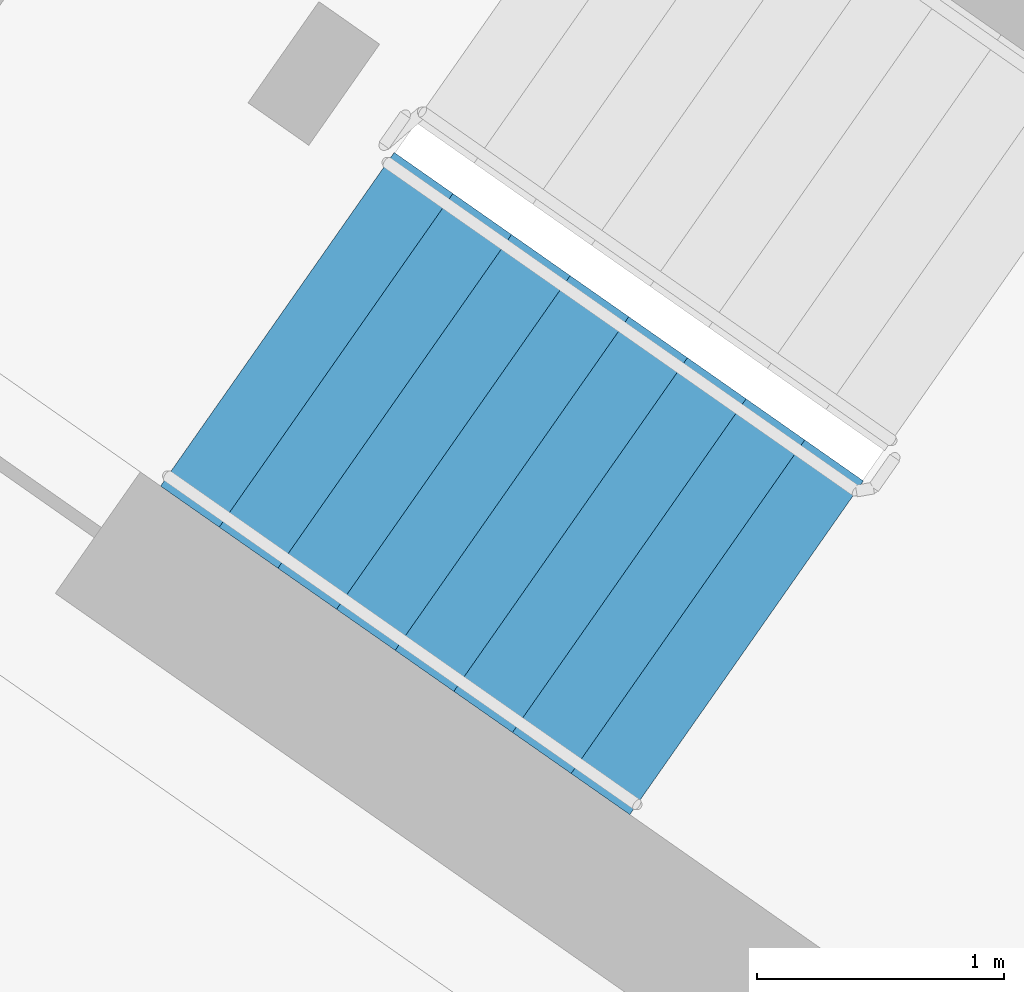
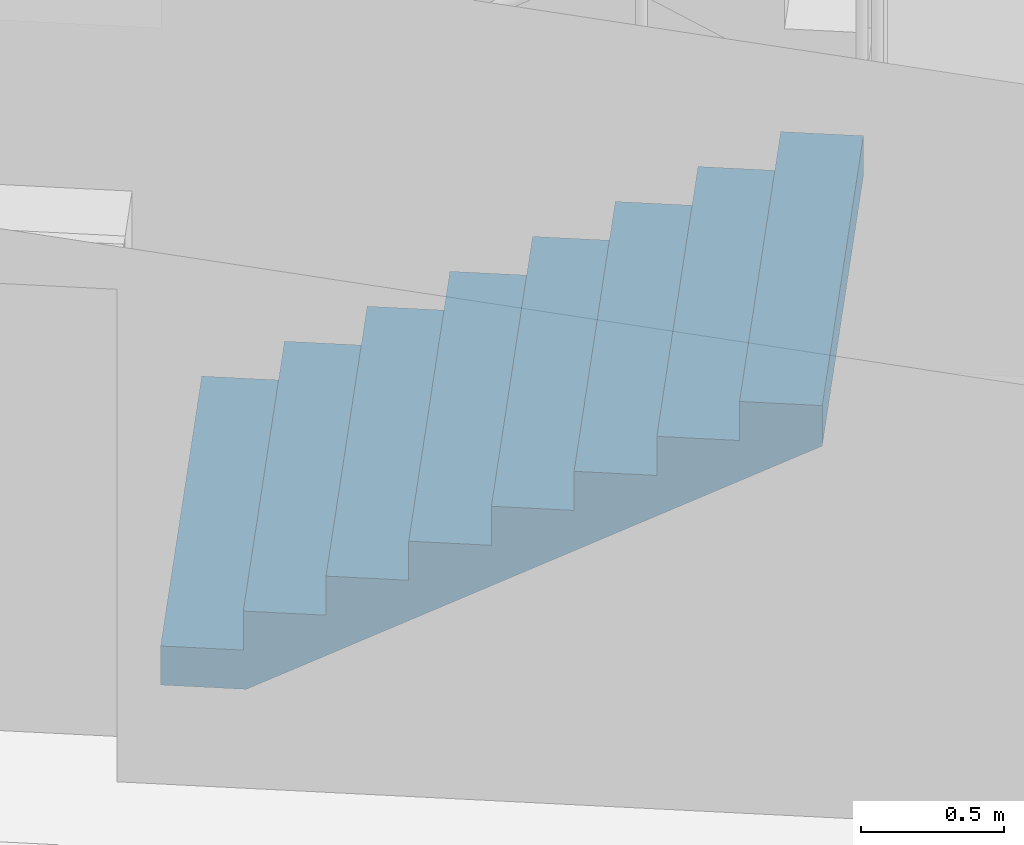
# One storey, part 6 of 41: 1 stair flight, 1 element without a shape of its own.
"""IFC4 building model written with IfcOpenShell, lengths in metres."""

from ifc_helpers import new_model, si_unit, direction, frame, origin, place, context, subcontext, project, spatial, faceted_brep, material, type_object, element, aggregate, save


model = new_model("IFC4")

# Units and contexts
model_context = context("Model", 3, precision=1e-05, world=origin(), true_north=direction((0.0, 1.0)))
body_context = subcontext(model_context, "Body", "Model", "MODEL_VIEW")
ifc_project = project(units=[si_unit("LENGTHUNIT", "METRE"), si_unit("AREAUNIT", "SQUARE_METRE"), si_unit("VOLUMEUNIT", "CUBIC_METRE"), si_unit("PLANEANGLEUNIT", "RADIAN"), si_unit("MASSUNIT", "GRAM", prefix="KILO")], contexts=[model_context])

# Site, building, storey
site_placement = place(None, origin())
site = spatial("IfcSite", under=ifc_project, at=site_placement, CompositionType="ELEMENT")
building_placement = place(site_placement, origin())
building = spatial("IfcBuilding", under=site, at=building_placement, Name="Qamariyya Broadcast Tower", CompositionType="ELEMENT")
storey_placement = place(building_placement, frame((0.0, 0.0, 284.699951171875)))
storey = spatial("IfcBuildingStorey", under=building, at=storey_placement, Name="L69", CompositionType="ELEMENT", Elevation=284.699951171875)

# Stair, stair flight
ifc_material = material(Name="Concrete C50/60", Category="concrete")
stair_type = type_object("IfcStairType", Name="Exit stair 36 risers of 167 mm", PredefinedType="HALF_TURN_STAIR", material=ifc_material)
stair_placement = place(storey_placement, origin())
stair = element("IfcStair", 1, at=stair_placement, inside=storey, type_object=stair_type, Name="L69 Stair W1", PredefinedType="HALF_TURN_STAIR")
stair_flight_type = type_object("IfcStairFlightType", Name="Exit stair flight 9 risers of 167 mm", PredefinedType="STRAIGHT", material=ifc_material)
stair_flight_placement = place(storey_placement, frame((-47.06884765625, -56.982666015625, 0.0), z_axis=(0.0, 0.0, 1.0), x_axis=(0.819152044289, -0.573576436351, 0.0)))
stair_flight = element("IfcStairFlight", 2, at=stair_flight_placement, type_object=stair_flight_type, Name="ST-W1 flight 1", NumberOfRisers=9, NumberOfTreads=8, PredefinedType="STRAIGHT", RiserHeight=0.166666667, TreadLength=0.29, context=body_context, shape_type="Brep", body=[
    faceted_brep([(0.0, 0.824951171875, 0.0), (0.0, 0.824951171875, 0.166748046875), (0.2900390625, 0.824951171875, 0.166748046875), (0.2900390625, 0.824951171875, 0.333251953125), (0.580078125, 0.824951171875, 0.333251953125), (0.580078125, 0.824951171875, 0.5), (0.8701171875, 0.824951171875, 0.5), (0.8701171875, 0.824951171875, 0.666748046875), (1.159912109375, 0.824951171875, 0.666748046875), (1.159912109375, 0.824951171875, 0.833251953125), (1.449951171875, 0.824951171875, 0.833251953125), (1.449951171875, 0.824951171875, 1.0), (1.739990234375, 0.824951171875, 1.0), (1.739990234375, 0.824951171875, 1.166748046875), (2.030029296875, 0.824951171875, 1.166748046875), (2.030029296875, 0.824951171875, 1.333251953125), (2.320068359375, 0.824951171875, 1.333251953125), (2.320068359375, 0.824951171875, 1.160400390625), (0.30078125, 0.824951171875, 0.0), (0.30078125, -0.824951171875, 0.0), (2.320068359375, -0.824951171875, 1.160400390625), (2.320068359375, -0.824951171875, 1.333251953125), (2.030029296875, -0.824951171875, 1.333251953125), (2.030029296875, -0.824951171875, 1.166748046875), (1.739990234375, -0.824951171875, 1.166748046875), (1.739990234375, -0.824951171875, 1.0), (1.449951171875, -0.824951171875, 1.0), (1.449951171875, -0.824951171875, 0.833251953125), (1.159912109375, -0.824951171875, 0.833251953125), (1.159912109375, -0.824951171875, 0.666748046875), (0.8701171875, -0.824951171875, 0.666748046875), (0.8701171875, -0.824951171875, 0.5), (0.580078125, -0.824951171875, 0.5), (0.580078125, -0.824951171875, 0.333251953125), (0.2900390625, -0.824951171875, 0.333251953125), (0.2900390625, -0.824951171875, 0.166748046875), (0.0, -0.824951171875, 0.166748046875), (0.0, -0.824951171875, 0.0), (0.0, 0.10009765625, 0.0), (0.0, 0.086669921875, 0.0), (0.0, 0.0732421875, 0.0), (0.0, 0.06005859375, 0.0), (0.0, 0.046630859375, 0.0), (0.0, 0.033447265625, 0.0), (0.0, 0.02001953125, 0.0), (0.0, 0.006591796875, 0.0), (0.0, -0.006591796875, 0.0), (0.0, -0.02001953125, 0.0), (0.0, -0.033447265625, 0.0), (0.0, -0.046630859375, 0.0), (0.0, -0.06005859375, 0.0), (0.0, -0.0732421875, 0.0), (0.0, -0.086669921875, 0.0), (0.0, -0.10009765625, 0.0), (0.0, -0.10009765625, 0.166748046875), (0.0, -0.086669921875, 0.166748046875), (0.0, -0.0732421875, 0.166748046875), (0.0, -0.06005859375, 0.166748046875), (0.0, -0.046630859375, 0.166748046875), (0.0, -0.033447265625, 0.166748046875), (0.0, -0.02001953125, 0.166748046875), (0.0, -0.006591796875, 0.166748046875), (0.0, 0.006591796875, 0.166748046875), (0.0, 0.02001953125, 0.166748046875), (0.0, 0.033447265625, 0.166748046875), (0.0, 0.046630859375, 0.166748046875), (0.0, 0.06005859375, 0.166748046875), (0.0, 0.0732421875, 0.166748046875), (0.0, 0.086669921875, 0.166748046875), (0.0, 0.10009765625, 0.166748046875), (0.2900390625, -0.10009765625, 0.166748046875), (0.2900390625, -0.086669921875, 0.166748046875), (0.2900390625, -0.0732421875, 0.166748046875), (0.2900390625, -0.06005859375, 0.166748046875), (0.2900390625, -0.046630859375, 0.166748046875), (0.2900390625, -0.033447265625, 0.166748046875), (0.2900390625, -0.02001953125, 0.166748046875), (0.2900390625, -0.006591796875, 0.166748046875), (0.2900390625, 0.006591796875, 0.166748046875), (0.2900390625, 0.02001953125, 0.166748046875), (0.2900390625, 0.033447265625, 0.166748046875), (0.2900390625, 0.046630859375, 0.166748046875), (0.2900390625, 0.06005859375, 0.166748046875), (0.2900390625, 0.0732421875, 0.166748046875), (0.2900390625, 0.086669921875, 0.166748046875), (0.2900390625, 0.10009765625, 0.166748046875), (0.2900390625, -0.10009765625, 0.333251953125), (0.2900390625, -0.086669921875, 0.333251953125), (0.2900390625, -0.0732421875, 0.333251953125), (0.2900390625, -0.06005859375, 0.333251953125), (0.2900390625, -0.046630859375, 0.333251953125), (0.2900390625, -0.033447265625, 0.333251953125), (0.2900390625, -0.02001953125, 0.333251953125), (0.2900390625, -0.006591796875, 0.333251953125), (0.2900390625, 0.006591796875, 0.333251953125), (0.2900390625, 0.02001953125, 0.333251953125), (0.2900390625, 0.033447265625, 0.333251953125), (0.2900390625, 0.046630859375, 0.333251953125), (0.2900390625, 0.06005859375, 0.333251953125), (0.2900390625, 0.0732421875, 0.333251953125), (0.2900390625, 0.086669921875, 0.333251953125), (0.2900390625, 0.10009765625, 0.333251953125), (0.580078125, -0.10009765625, 0.333251953125), (0.580078125, -0.086669921875, 0.333251953125), (0.580078125, -0.0732421875, 0.333251953125), (0.580078125, -0.06005859375, 0.333251953125), (0.580078125, -0.046630859375, 0.333251953125), (0.580078125, -0.033447265625, 0.333251953125), (0.580078125, -0.02001953125, 0.333251953125), (0.580078125, -0.006591796875, 0.333251953125), (0.580078125, 0.006591796875, 0.333251953125), (0.580078125, 0.02001953125, 0.333251953125), (0.580078125, 0.033447265625, 0.333251953125), (0.580078125, 0.046630859375, 0.333251953125), (0.580078125, 0.06005859375, 0.333251953125), (0.580078125, 0.0732421875, 0.333251953125), (0.580078125, 0.086669921875, 0.333251953125), (0.580078125, 0.10009765625, 0.333251953125), (0.580078125, -0.10009765625, 0.5), (0.580078125, -0.086669921875, 0.5), (0.580078125, -0.0732421875, 0.5), (0.580078125, -0.06005859375, 0.5), (0.580078125, -0.046630859375, 0.5), (0.580078125, -0.033447265625, 0.5), (0.580078125, -0.02001953125, 0.5), (0.580078125, -0.006591796875, 0.5), (0.580078125, 0.006591796875, 0.5), (0.580078125, 0.02001953125, 0.5), (0.580078125, 0.033447265625, 0.5), (0.580078125, 0.046630859375, 0.5), (0.580078125, 0.06005859375, 0.5), (0.580078125, 0.0732421875, 0.5), (0.580078125, 0.086669921875, 0.5), (0.580078125, 0.10009765625, 0.5), (0.8701171875, -0.10009765625, 0.5), (0.8701171875, -0.086669921875, 0.5), (0.8701171875, -0.0732421875, 0.5), (0.8701171875, -0.06005859375, 0.5), (0.8701171875, -0.046630859375, 0.5), (0.8701171875, -0.033447265625, 0.5), (0.8701171875, -0.02001953125, 0.5), (0.8701171875, -0.006591796875, 0.5), (0.8701171875, 0.006591796875, 0.5), (0.8701171875, 0.02001953125, 0.5), (0.8701171875, 0.033447265625, 0.5), (0.8701171875, 0.046630859375, 0.5), (0.8701171875, 0.06005859375, 0.5), (0.8701171875, 0.0732421875, 0.5), (0.8701171875, 0.086669921875, 0.5), (0.8701171875, 0.10009765625, 0.5), (0.8701171875, -0.10009765625, 0.666748046875), (0.8701171875, -0.086669921875, 0.666748046875), (0.8701171875, -0.0732421875, 0.666748046875), (0.8701171875, -0.06005859375, 0.666748046875), (0.8701171875, -0.046630859375, 0.666748046875), (0.8701171875, -0.033447265625, 0.666748046875), (0.8701171875, -0.02001953125, 0.666748046875), (0.8701171875, -0.006591796875, 0.666748046875), (0.8701171875, 0.006591796875, 0.666748046875), (0.8701171875, 0.02001953125, 0.666748046875), (0.8701171875, 0.033447265625, 0.666748046875), (0.8701171875, 0.046630859375, 0.666748046875), (0.8701171875, 0.06005859375, 0.666748046875), (0.8701171875, 0.0732421875, 0.666748046875), (0.8701171875, 0.086669921875, 0.666748046875), (0.8701171875, 0.10009765625, 0.666748046875), (1.159912109375, -0.10009765625, 0.666748046875), (1.159912109375, -0.086669921875, 0.666748046875), (1.159912109375, -0.0732421875, 0.666748046875), (1.159912109375, -0.06005859375, 0.666748046875), (1.159912109375, -0.046630859375, 0.666748046875), (1.159912109375, -0.033447265625, 0.666748046875), (1.159912109375, -0.02001953125, 0.666748046875), (1.159912109375, -0.006591796875, 0.666748046875), (1.159912109375, 0.006591796875, 0.666748046875), (1.159912109375, 0.02001953125, 0.666748046875), (1.159912109375, 0.033447265625, 0.666748046875), (1.159912109375, 0.046630859375, 0.666748046875), (1.159912109375, 0.06005859375, 0.666748046875), (1.159912109375, 0.0732421875, 0.666748046875), (1.159912109375, 0.086669921875, 0.666748046875), (1.159912109375, 0.10009765625, 0.666748046875), (1.159912109375, -0.10009765625, 0.833251953125), (1.159912109375, -0.086669921875, 0.833251953125), (1.159912109375, -0.0732421875, 0.833251953125), (1.159912109375, -0.06005859375, 0.833251953125), (1.159912109375, -0.046630859375, 0.833251953125), (1.159912109375, -0.033447265625, 0.833251953125), (1.159912109375, -0.02001953125, 0.833251953125), (1.159912109375, -0.006591796875, 0.833251953125), (1.159912109375, 0.006591796875, 0.833251953125), (1.159912109375, 0.02001953125, 0.833251953125), (1.159912109375, 0.033447265625, 0.833251953125), (1.159912109375, 0.046630859375, 0.833251953125), (1.159912109375, 0.06005859375, 0.833251953125), (1.159912109375, 0.0732421875, 0.833251953125), (1.159912109375, 0.086669921875, 0.833251953125), (1.159912109375, 0.10009765625, 0.833251953125), (1.449951171875, -0.10009765625, 0.833251953125), (1.449951171875, -0.086669921875, 0.833251953125), (1.449951171875, -0.0732421875, 0.833251953125), (1.449951171875, -0.06005859375, 0.833251953125), (1.449951171875, -0.046630859375, 0.833251953125), (1.449951171875, -0.033447265625, 0.833251953125), (1.449951171875, -0.02001953125, 0.833251953125), (1.449951171875, -0.006591796875, 0.833251953125), (1.449951171875, 0.006591796875, 0.833251953125), (1.449951171875, 0.02001953125, 0.833251953125), (1.449951171875, 0.033447265625, 0.833251953125), (1.449951171875, 0.046630859375, 0.833251953125), (1.449951171875, 0.06005859375, 0.833251953125), (1.449951171875, 0.0732421875, 0.833251953125), (1.449951171875, 0.086669921875, 0.833251953125), (1.449951171875, 0.10009765625, 0.833251953125), (1.449951171875, -0.10009765625, 1.0), (1.449951171875, -0.086669921875, 1.0), (1.449951171875, -0.0732421875, 1.0), (1.449951171875, -0.06005859375, 1.0), (1.449951171875, -0.046630859375, 1.0), (1.449951171875, -0.033447265625, 1.0), (1.449951171875, -0.02001953125, 1.0), (1.449951171875, -0.006591796875, 1.0), (1.449951171875, 0.006591796875, 1.0), (1.449951171875, 0.02001953125, 1.0), (1.449951171875, 0.033447265625, 1.0), (1.449951171875, 0.046630859375, 1.0), (1.449951171875, 0.06005859375, 1.0), (1.449951171875, 0.0732421875, 1.0), (1.449951171875, 0.086669921875, 1.0), (1.449951171875, 0.10009765625, 1.0), (1.739990234375, -0.10009765625, 1.0), (1.739990234375, -0.086669921875, 1.0), (1.739990234375, -0.0732421875, 1.0), (1.739990234375, -0.06005859375, 1.0), (1.739990234375, -0.046630859375, 1.0), (1.739990234375, -0.033447265625, 1.0), (1.739990234375, -0.02001953125, 1.0), (1.739990234375, -0.006591796875, 1.0), (1.739990234375, 0.006591796875, 1.0), (1.739990234375, 0.02001953125, 1.0), (1.739990234375, 0.033447265625, 1.0), (1.739990234375, 0.046630859375, 1.0), (1.739990234375, 0.06005859375, 1.0), (1.739990234375, 0.0732421875, 1.0), (1.739990234375, 0.086669921875, 1.0), (1.739990234375, 0.10009765625, 1.0), (1.739990234375, -0.10009765625, 1.166748046875), (1.739990234375, -0.086669921875, 1.166748046875), (1.739990234375, -0.0732421875, 1.166748046875), (1.739990234375, -0.06005859375, 1.166748046875), (1.739990234375, -0.046630859375, 1.166748046875), (1.739990234375, -0.033447265625, 1.166748046875), (1.739990234375, -0.02001953125, 1.166748046875), (1.739990234375, -0.006591796875, 1.166748046875), (1.739990234375, 0.006591796875, 1.166748046875), (1.739990234375, 0.02001953125, 1.166748046875), (1.739990234375, 0.033447265625, 1.166748046875), (1.739990234375, 0.046630859375, 1.166748046875), (1.739990234375, 0.06005859375, 1.166748046875), (1.739990234375, 0.0732421875, 1.166748046875), (1.739990234375, 0.086669921875, 1.166748046875), (1.739990234375, 0.10009765625, 1.166748046875), (2.030029296875, -0.10009765625, 1.166748046875), (2.030029296875, -0.086669921875, 1.166748046875), (2.030029296875, -0.0732421875, 1.166748046875), (2.030029296875, -0.06005859375, 1.166748046875), (2.030029296875, -0.046630859375, 1.166748046875), (2.030029296875, -0.033447265625, 1.166748046875), (2.030029296875, -0.02001953125, 1.166748046875), (2.030029296875, -0.006591796875, 1.166748046875), (2.030029296875, 0.006591796875, 1.166748046875), (2.030029296875, 0.02001953125, 1.166748046875), (2.030029296875, 0.033447265625, 1.166748046875), (2.030029296875, 0.046630859375, 1.166748046875), (2.030029296875, 0.06005859375, 1.166748046875), (2.030029296875, 0.0732421875, 1.166748046875), (2.030029296875, 0.086669921875, 1.166748046875), (2.030029296875, 0.10009765625, 1.166748046875), (2.030029296875, -0.10009765625, 1.333251953125), (2.030029296875, -0.086669921875, 1.333251953125), (2.030029296875, -0.0732421875, 1.333251953125), (2.030029296875, -0.06005859375, 1.333251953125), (2.030029296875, -0.046630859375, 1.333251953125), (2.030029296875, -0.033447265625, 1.333251953125), (2.030029296875, -0.02001953125, 1.333251953125), (2.030029296875, -0.006591796875, 1.333251953125), (2.030029296875, 0.006591796875, 1.333251953125), (2.030029296875, 0.02001953125, 1.333251953125), (2.030029296875, 0.033447265625, 1.333251953125), (2.030029296875, 0.046630859375, 1.333251953125), (2.030029296875, 0.06005859375, 1.333251953125), (2.030029296875, 0.0732421875, 1.333251953125), (2.030029296875, 0.086669921875, 1.333251953125), (2.030029296875, 0.10009765625, 1.333251953125), (2.320068359375, -0.10009765625, 1.333251953125), (2.320068359375, -0.086669921875, 1.333251953125), (2.320068359375, -0.0732421875, 1.333251953125), (2.320068359375, -0.06005859375, 1.333251953125), (2.320068359375, -0.046630859375, 1.333251953125), (2.320068359375, -0.033447265625, 1.333251953125), (2.320068359375, -0.02001953125, 1.333251953125), (2.320068359375, -0.006591796875, 1.333251953125), (2.320068359375, 0.006591796875, 1.333251953125), (2.320068359375, 0.02001953125, 1.333251953125), (2.320068359375, 0.033447265625, 1.333251953125), (2.320068359375, 0.046630859375, 1.333251953125), (2.320068359375, 0.06005859375, 1.333251953125), (2.320068359375, 0.0732421875, 1.333251953125), (2.320068359375, 0.086669921875, 1.333251953125), (2.320068359375, 0.10009765625, 1.333251953125), (2.320068359375, -0.10009765625, 1.160400390625), (2.320068359375, -0.086669921875, 1.160400390625), (2.320068359375, -0.0732421875, 1.160400390625), (2.320068359375, -0.06005859375, 1.160400390625), (2.320068359375, -0.046630859375, 1.160400390625), (2.320068359375, -0.033447265625, 1.160400390625), (2.320068359375, -0.02001953125, 1.160400390625), (2.320068359375, -0.006591796875, 1.160400390625), (2.320068359375, 0.006591796875, 1.160400390625), (2.320068359375, 0.02001953125, 1.160400390625), (2.320068359375, 0.033447265625, 1.160400390625), (2.320068359375, 0.046630859375, 1.160400390625), (2.320068359375, 0.06005859375, 1.160400390625), (2.320068359375, 0.0732421875, 1.160400390625), (2.320068359375, 0.086669921875, 1.160400390625), (2.320068359375, 0.10009765625, 1.160400390625), (0.30078125, -0.10009765625, 0.0), (0.30078125, -0.086669921875, 0.0), (0.30078125, -0.0732421875, 0.0), (0.30078125, -0.06005859375, 0.0), (0.30078125, -0.046630859375, 0.0), (0.30078125, -0.033447265625, 0.0), (0.30078125, -0.02001953125, 0.0), (0.30078125, -0.006591796875, 0.0), (0.30078125, 0.006591796875, 0.0), (0.30078125, 0.02001953125, 0.0), (0.30078125, 0.033447265625, 0.0), (0.30078125, 0.046630859375, 0.0), (0.30078125, 0.06005859375, 0.0), (0.30078125, 0.0732421875, 0.0), (0.30078125, 0.086669921875, 0.0), (0.30078125, 0.10009765625, 0.0)], [[[0, 1, 2, 3, 4, 5, 6, 7, 8, 9, 10, 11, 12, 13, 14, 15, 16, 17, 18]], [[19, 20, 21, 22, 23, 24, 25, 26, 27, 28, 29, 30, 31, 32, 33, 34, 35, 36, 37]], [[0, 38, 39, 40, 41, 42, 43, 44, 45, 46, 47, 48, 49, 50, 51, 52, 53, 37, 36, 54, 55, 56, 57, 58, 59, 60, 61, 62, 63, 64, 65, 66, 67, 68, 69, 1]], [[1, 69, 68, 67, 66, 65, 64, 63, 62, 61, 60, 59, 58, 57, 56, 55, 54, 36, 35, 70, 71, 72, 73, 74, 75, 76, 77, 78, 79, 80, 81, 82, 83, 84, 85, 2]], [[2, 85, 84, 83, 82, 81, 80, 79, 78, 77, 76, 75, 74, 73, 72, 71, 70, 35, 34, 86, 87, 88, 89, 90, 91, 92, 93, 94, 95, 96, 97, 98, 99, 100, 101, 3]], [[3, 101, 100, 99, 98, 97, 96, 95, 94, 93, 92, 91, 90, 89, 88, 87, 86, 34, 33, 102, 103, 104, 105, 106, 107, 108, 109, 110, 111, 112, 113, 114, 115, 116, 117, 4]], [[4, 117, 116, 115, 114, 113, 112, 111, 110, 109, 108, 107, 106, 105, 104, 103, 102, 33, 32, 118, 119, 120, 121, 122, 123, 124, 125, 126, 127, 128, 129, 130, 131, 132, 133, 5]], [[5, 133, 132, 131, 130, 129, 128, 127, 126, 125, 124, 123, 122, 121, 120, 119, 118, 32, 31, 134, 135, 136, 137, 138, 139, 140, 141, 142, 143, 144, 145, 146, 147, 148, 149, 6]], [[6, 149, 148, 147, 146, 145, 144, 143, 142, 141, 140, 139, 138, 137, 136, 135, 134, 31, 30, 150, 151, 152, 153, 154, 155, 156, 157, 158, 159, 160, 161, 162, 163, 164, 165, 7]], [[7, 165, 164, 163, 162, 161, 160, 159, 158, 157, 156, 155, 154, 153, 152, 151, 150, 30, 29, 166, 167, 168, 169, 170, 171, 172, 173, 174, 175, 176, 177, 178, 179, 180, 181, 8]], [[8, 181, 180, 179, 178, 177, 176, 175, 174, 173, 172, 171, 170, 169, 168, 167, 166, 29, 28, 182, 183, 184, 185, 186, 187, 188, 189, 190, 191, 192, 193, 194, 195, 196, 197, 9]], [[9, 197, 196, 195, 194, 193, 192, 191, 190, 189, 188, 187, 186, 185, 184, 183, 182, 28, 27, 198, 199, 200, 201, 202, 203, 204, 205, 206, 207, 208, 209, 210, 211, 212, 213, 10]], [[10, 213, 212, 211, 210, 209, 208, 207, 206, 205, 204, 203, 202, 201, 200, 199, 198, 27, 26, 214, 215, 216, 217, 218, 219, 220, 221, 222, 223, 224, 225, 226, 227, 228, 229, 11]], [[11, 229, 228, 227, 226, 225, 224, 223, 222, 221, 220, 219, 218, 217, 216, 215, 214, 26, 25, 230, 231, 232, 233, 234, 235, 236, 237, 238, 239, 240, 241, 242, 243, 244, 245, 12]], [[12, 245, 244, 243, 242, 241, 240, 239, 238, 237, 236, 235, 234, 233, 232, 231, 230, 25, 24, 246, 247, 248, 249, 250, 251, 252, 253, 254, 255, 256, 257, 258, 259, 260, 261, 13]], [[13, 261, 260, 259, 258, 257, 256, 255, 254, 253, 252, 251, 250, 249, 248, 247, 246, 24, 23, 262, 263, 264, 265, 266, 267, 268, 269, 270, 271, 272, 273, 274, 275, 276, 277, 14]], [[14, 277, 276, 275, 274, 273, 272, 271, 270, 269, 268, 267, 266, 265, 264, 263, 262, 23, 22, 278, 279, 280, 281, 282, 283, 284, 285, 286, 287, 288, 289, 290, 291, 292, 293, 15]], [[15, 293, 292, 291, 290, 289, 288, 287, 286, 285, 284, 283, 282, 281, 280, 279, 278, 22, 21, 294, 295, 296, 297, 298, 299, 300, 301, 302, 303, 304, 305, 306, 307, 308, 309, 16]], [[16, 309, 308, 307, 306, 305, 304, 303, 302, 301, 300, 299, 298, 297, 296, 295, 294, 21, 20, 310, 311, 312, 313, 314, 315, 316, 317, 318, 319, 320, 321, 322, 323, 324, 325, 17]], [[17, 325, 324, 323, 322, 321, 320, 319, 318, 317, 316, 315, 314, 313, 312, 311, 310, 20, 19, 326, 327, 328, 329, 330, 331, 332, 333, 334, 335, 336, 337, 338, 339, 340, 341, 18]], [[18, 341, 340, 339, 338, 337, 336, 335, 334, 333, 332, 331, 330, 329, 328, 327, 326, 19, 37, 53, 52, 51, 50, 49, 48, 47, 46, 45, 44, 43, 42, 41, 40, 39, 38, 0]]]),
])
aggregate(stair, [stair_flight])

save(model, "model.ifc")
